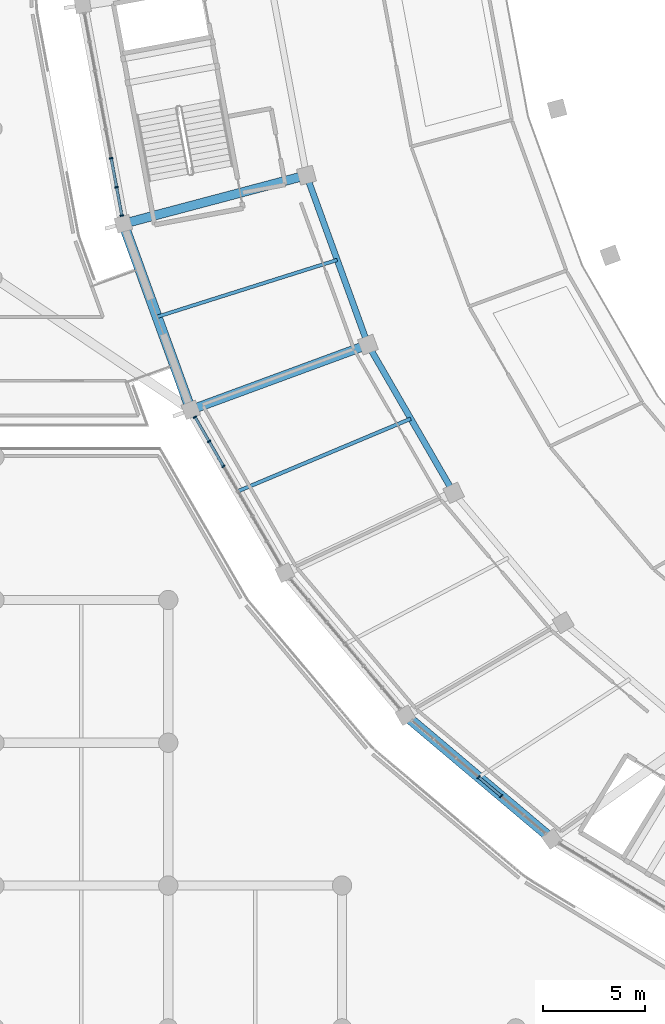
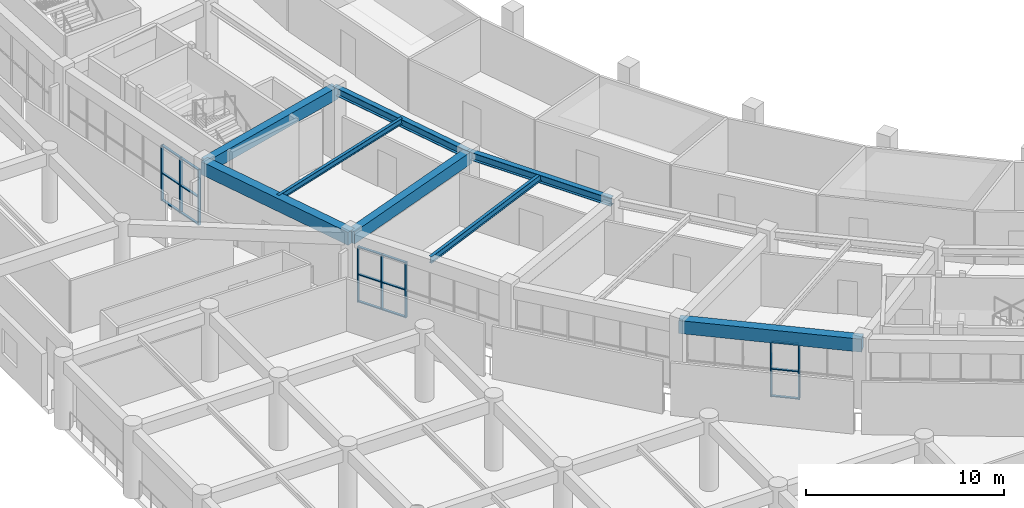
# One storey, part 19 of 141: 23 members, 8 beams, 3 elements without a shape of their own.
"""IFC4 building model written with IfcOpenShell, lengths in metres."""

from ifc_helpers import new_model, si_unit, direction, frame, origin, origin_2d, place, context, subcontext, project, spatial, rectangle, i_section, extrude, material, layer, layer_set, material_profile, profile_set, type_object, element, aggregate, save


model = new_model("IFC4")

# Units and contexts
model_context = context("Model", 3, precision=1e-05, world=origin(), true_north=direction((0.0, 1.0)))
body_context = subcontext(model_context, "Body", "Model", "MODEL_VIEW")
ifc_project = project(units=[si_unit("LENGTHUNIT", "METRE"), si_unit("AREAUNIT", "SQUARE_METRE"), si_unit("VOLUMEUNIT", "CUBIC_METRE"), si_unit("PLANEANGLEUNIT", "RADIAN"), si_unit("MASSUNIT", "GRAM", prefix="KILO")], contexts=[model_context])

# Site, building, storey
site_placement = place(None, origin())
site = spatial("IfcSite", under=ifc_project, at=site_placement, CompositionType="ELEMENT")
building_placement = place(site_placement, origin())
building = spatial("IfcBuilding", under=site, at=building_placement, Name="Mphavela Belvedere Stadium", CompositionType="ELEMENT")
storey_placement = place(building_placement, frame((0.0, 0.0, 14.699951171875)))
storey = spatial("IfcBuildingStorey", under=building, at=storey_placement, Name="L03", CompositionType="ELEMENT", Elevation=14.699951171875)

# Beams
ifc_material_1 = material(Name="Steel S355", Category="steel")
ifc_material_profile_1 = material_profile(ifc_material_1, i_section(OverallWidth=0.169921875, OverallDepth=0.360107421875, WebThickness=0.008056640625, FlangeThickness=0.0126953125, at=origin_2d()), Name="IPE 360")
ifc_profile_set_1 = profile_set([ifc_material_profile_1], Name="Steel S355")
beam_type_1 = type_object("IfcBeamType", Name="BM-JOIST-IPE360", PredefinedType="JOIST", material=ifc_profile_set_1)
beam_1_placement = place(storey_placement, frame((25.318359375, 58.6669921875, 4.070068359375), z_axis=(-0.953544002003, -0.301253773826, 0.0), x_axis=(0.301253773826, -0.953544002003, 0.0)))
element("IfcBeam", 1, at=beam_1_placement, inside=storey, type_object=beam_type_1, Name="Concourse floor joist L03-27", PredefinedType="JOIST", context=body_context, shape_type="SweptSolid", body=[
    extrude(i_section(OverallWidth=0.169921875, OverallDepth=0.360107421875, WebThickness=0.008056640625, FlangeThickness=0.0126953125, at=origin_2d()), origin(), (0.0, 0.0, 1.0), 9.259033203125),
])
ifc_material_2 = material(Name="Steel S355", Category="steel")
ifc_material_profile_2 = material_profile(ifc_material_2, i_section(OverallWidth=0.179931640625, OverallDepth=0.39990234375, WebThickness=0.008544921875, FlangeThickness=0.013427734375, at=origin_2d()), Name="IPE 400")
ifc_profile_set_2 = profile_set([ifc_material_profile_2], Name="Steel S355")
beam_type_2 = type_object("IfcBeamType", Name="BM-JOIST-IPE400", PredefinedType="JOIST", material=ifc_profile_set_2)
beam_2_placement = place(storey_placement, frame((28.924560546875, 50.8837890625, 4.050048828125), z_axis=(-0.922112756047, -0.386921264775, 0.0), x_axis=(0.386921264775, -0.922112756047, 0.0)))
element("IfcBeam", 2, at=beam_2_placement, inside=storey, type_object=beam_type_2, Name="Concourse floor joist L03-28", PredefinedType="JOIST", context=body_context, shape_type="SweptSolid", body=[
    extrude(i_section(OverallWidth=0.179931640625, OverallDepth=0.39990234375, WebThickness=0.008544921875, FlangeThickness=0.013427734375, at=origin_2d()), origin(), (0.0, 0.0, 1.0), 9.189697265625),
])
ifc_material_3 = material(Name="Concrete C40/50", Category="concrete")
ifc_material_profile_3 = material_profile(ifc_material_3, rectangle(XDim=0.449951171875, YDim=0.75, at=origin_2d()), Name="RC 450x750")
ifc_profile_set_3 = profile_set([ifc_material_profile_3], Name="Concrete C40/50")
beam_type_3 = type_object("IfcBeamType", Name="BM-RC450x750", PredefinedType="BEAM", material=ifc_profile_set_3)
beam_3_placement = place(storey_placement, frame((23.8125, 62.818115234375, 3.875), z_axis=(-0.966589609073, -0.256328944196, 0.0), x_axis=(0.256328944196, -0.966589609073, 0.0)))
element("IfcBeam", 3, at=beam_3_placement, inside=storey, type_object=beam_type_3, Name="Radial concourse girder L03 R3R4-27", PredefinedType="BEAM", context=body_context, shape_type="SweptSolid", body=[
    extrude(rectangle(XDim=0.449951171875, YDim=0.75, at=origin_2d()), origin(), (0.0, 0.0, 1.0), 9.287353515625),
])
beam_4_placement = place(storey_placement, frame((26.824462890625, 54.515625, 3.875), z_axis=(-0.938348073025, -0.345691905967, 0.0), x_axis=(0.345691905967, -0.938348073025, 0.0)))
element("IfcBeam", 4, at=beam_4_placement, inside=storey, type_object=beam_type_3, Name="Radial concourse girder L03 R3R4-28", PredefinedType="BEAM", context=body_context, shape_type="SweptSolid", body=[
    extrude(rectangle(XDim=0.449951171875, YDim=0.75, at=origin_2d()), origin(), (0.0, 0.0, 1.0), 9.2509765625),
])
ifc_material_4 = material(Name="Concrete C40/50", Category="concrete")
ifc_material_profile_4 = material_profile(ifc_material_4, rectangle(XDim=0.5, YDim=0.800048828125, at=origin_2d()), Name="RC 500x800")
ifc_profile_set_4 = profile_set([ifc_material_profile_4], Name="Concrete C40/50")
beam_type_4 = type_object("IfcBeamType", Name="BM-SPANDREL-800", PredefinedType="SPANDREL", material=ifc_profile_set_4)
beam_5_placement = place(storey_placement, frame((14.83544921875, 60.4375, 3.85009765625), z_axis=(0.341017570596, -0.94005692197, 0.0), x_axis=(0.94005692197, 0.341017570596, 0.0)))
element("IfcBeam", 5, at=beam_5_placement, inside=storey, type_object=beam_type_4, Name="Circumferential girder L03 R4-27", PredefinedType="SPANDREL", context=body_context, shape_type="SweptSolid", body=[
    extrude(rectangle(XDim=0.5, YDim=0.800048828125, at=origin_2d()), origin(), (0.0, 0.0, 1.0), 9.701416015625),
])
beam_6_placement = place(storey_placement, frame((28.66162109375, 36.346435546875, 3.85009765625), z_axis=(0.76426547638, -0.644901761212, 0.0), x_axis=(0.644901761212, 0.76426547638, 0.0)))
element("IfcBeam", 6, at=beam_6_placement, inside=storey, type_object=beam_type_4, Name="Circumferential girder L03 R4-30", PredefinedType="SPANDREL", context=body_context, shape_type="SweptSolid", body=[
    extrude(rectangle(XDim=0.5, YDim=0.800048828125, at=origin_2d()), origin(), (0.0, 0.0, 1.0), 9.3984375),
])
ifc_material_5 = material(Name="Steel S355", Category="steel")
ifc_material_profile_5 = material_profile(ifc_material_5, i_section(OverallWidth=0.300048828125, OverallDepth=0.489990234375, WebThickness=0.011962890625, FlangeThickness=0.02294921875, at=origin_2d()), Name="HEA 500")
ifc_profile_set_5 = profile_set([ifc_material_profile_5], Name="Steel S355")
beam_type_5 = type_object("IfcBeamType", Name="BM-STEEL-HEA500", PredefinedType="BEAM", material=ifc_profile_set_5)
beam_7_placement = place(storey_placement, frame((23.8125, 62.818115234375, 4.005126953125), z_axis=(0.341030504348, -0.940052229987, 0.0), x_axis=(0.940052229987, 0.341030504348, 0.0)))
element("IfcBeam", 7, at=beam_7_placement, inside=storey, type_object=beam_type_5, Name="Circumferential girder L03 R3-27", PredefinedType="BEAM", context=body_context, shape_type="SweptSolid", body=[
    extrude(i_section(OverallWidth=0.300048828125, OverallDepth=0.489990234375, WebThickness=0.011962890625, FlangeThickness=0.02294921875, at=origin_2d()), origin(), (0.0, 0.0, 1.0), 8.83203125),
])
beam_8_placement = place(storey_placement, frame((26.824462890625, 54.515625, 4.005126953125), z_axis=(0.500547586322, -0.865709023765, 0.0), x_axis=(0.865709023765, 0.500547586322, 0.0)))
element("IfcBeam", 8, at=beam_8_placement, inside=storey, type_object=beam_type_5, Name="Circumferential girder L03 R3-28", PredefinedType="BEAM", context=body_context, shape_type="SweptSolid", body=[
    extrude(i_section(OverallWidth=0.300048828125, OverallDepth=0.489990234375, WebThickness=0.011962890625, FlangeThickness=0.02294921875, at=origin_2d()), origin(), (0.0, 0.0, 1.0), 8.390625),
])

# Curtain wall, members
ifc_material_6 = material(Name="Anodised bronze unitised curtain wall framing")
ifc_layer_1 = layer(ifc_material_6, 0.195068359375)
ifc_layer_set_1 = layer_set([ifc_layer_1], Name="Anodised bronze unitised curtain wall framing")
curtain_wall_type_1 = type_object("IfcCurtainWallType", Name="CW-UNIT-04", PredefinedType="USERDEFINED", material=ifc_layer_set_1)
curtain_wall_1_placement = place(storey_placement, origin())
curtain_wall_1 = element("IfcCurtainWall", 9, at=curtain_wall_1_placement, inside=storey, type_object=curtain_wall_type_1, Name="Belvedere colonnade curtain wall L03-26", ObjectType="UNITISED CURTAIN WALL", PredefinedType="USERDEFINED")
ifc_material_7 = material(Name="Anodised bronze extruded aluminium", Category="aluminium")
ifc_material_profile_6 = material_profile(ifc_material_7, rectangle(XDim=0.179931640625, YDim=0.06494140625, at=origin_2d()), Name="CW-MUL 180x65")
ifc_profile_set_6 = profile_set([ifc_material_profile_6], Name="Anodised bronze extruded aluminium")
member_type_1 = type_object("IfcMemberType", Name="CWM-180x65", PredefinedType="MULLION", material=ifc_profile_set_6)
member_1_placement = place(storey_placement, frame((14.2373046875, 63.65673828125, 0.0), z_axis=(0.0, 0.0, 1.0), x_axis=(0.983181487142, 0.182631222254, 0.0)))
member_1 = element("IfcMember", 10, at=member_1_placement, type_object=member_type_1, Name="CW-04 mullion 6", PredefinedType="MULLION", context=body_context, shape_type="SweptSolid", body=[
    extrude(rectangle(XDim=0.179931640625, YDim=0.06494140625, at=origin_2d()), origin(), (0.0, 0.0, 1.0), 3.420166015625),
])
member_2_placement = place(storey_placement, frame((14.50244140625, 62.23046875, 0.0), z_axis=(0.0, 0.0, 1.0), x_axis=(0.983181487142, 0.182631222254, 0.0)))
member_2 = element("IfcMember", 11, at=member_2_placement, type_object=member_type_1, Name="CW-04 mullion 7", PredefinedType="MULLION", context=body_context, shape_type="SweptSolid", body=[
    extrude(rectangle(XDim=0.179931640625, YDim=0.06494140625, at=origin_2d()), origin(), (0.0, 0.0, 1.0), 3.420166015625),
])
member_3_placement = place(storey_placement, frame((14.761474609375, 60.836181640625, 0.0), z_axis=(0.0, 0.0, 1.0), x_axis=(0.983181487142, 0.182631222254, 0.0)))
member_3 = element("IfcMember", 12, at=member_3_placement, type_object=member_type_1, Name="CW-04 mullion 8", PredefinedType="MULLION", context=body_context, shape_type="SweptSolid", body=[
    extrude(rectangle(XDim=0.179931640625, YDim=0.06494140625, at=origin_2d()), origin(), (0.0, 0.0, 1.0), 3.420166015625),
])

ifc_material_8 = material(Name="Anodised bronze unitised curtain wall framing")
ifc_layer_2 = layer(ifc_material_8, 0.199951171875)
ifc_layer_set_2 = layer_set([ifc_layer_2], Name="Anodised bronze unitised curtain wall framing")
curtain_wall_type_2 = type_object("IfcCurtainWallType", Name="CW-UNIT-05", PredefinedType="USERDEFINED", material=ifc_layer_set_2)
curtain_wall_2_placement = place(storey_placement, origin())
curtain_wall_2 = element("IfcCurtainWall", 13, at=curtain_wall_2_placement, inside=storey, type_object=curtain_wall_type_2, Name="Belvedere colonnade curtain wall L03-28", ObjectType="UNITISED CURTAIN WALL", PredefinedType="USERDEFINED")
member_4_placement = place(storey_placement, frame((18.346923828125, 50.966552734375, 0.0), z_axis=(0.0, 0.0, 1.0), x_axis=(0.865705257789, 0.50055409961, 0.0)))
member_4 = element("IfcMember", 14, at=member_4_placement, type_object=member_type_1, Name="CW-05 mullion 1", PredefinedType="MULLION", context=body_context, shape_type="SweptSolid", body=[
    extrude(rectangle(XDim=0.179931640625, YDim=0.06494140625, at=origin_2d()), origin(), (0.0, 0.0, 1.0), 3.420166015625),
])
member_5_placement = place(storey_placement, frame((19.037353515625, 49.7724609375, 0.0), z_axis=(0.0, 0.0, 1.0), x_axis=(0.865705257789, 0.50055409961, 0.0)))
member_5 = element("IfcMember", 15, at=member_5_placement, type_object=member_type_1, Name="CW-05 mullion 2", PredefinedType="MULLION", context=body_context, shape_type="SweptSolid", body=[
    extrude(rectangle(XDim=0.179931640625, YDim=0.06494140625, at=origin_2d()), origin(), (0.0, 0.0, 1.0), 3.420166015625),
])
member_6_placement = place(storey_placement, frame((19.743896484375, 48.55029296875, 0.0), z_axis=(0.0, 0.0, 1.0), x_axis=(0.865705257789, 0.50055409961, 0.0)))
member_6 = element("IfcMember", 16, at=member_6_placement, type_object=member_type_1, Name="CW-05 mullion 3", PredefinedType="MULLION", context=body_context, shape_type="SweptSolid", body=[
    extrude(rectangle(XDim=0.179931640625, YDim=0.06494140625, at=origin_2d()), origin(), (0.0, 0.0, 1.0), 3.420166015625),
])

ifc_material_9 = material(Name="Anodised bronze unitised curtain wall framing")
ifc_layer_3 = layer(ifc_material_9, 0.179931640625)
ifc_layer_set_3 = layer_set([ifc_layer_3], Name="Anodised bronze unitised curtain wall framing")
curtain_wall_type_3 = type_object("IfcCurtainWallType", Name="CW-UNIT-01", PredefinedType="USERDEFINED", material=ifc_layer_set_3)
curtain_wall_3_placement = place(storey_placement, origin())
curtain_wall_3 = element("IfcCurtainWall", 17, at=curtain_wall_3_placement, inside=storey, type_object=curtain_wall_type_3, Name="Belvedere colonnade curtain wall L03-30", ObjectType="UNITISED CURTAIN WALL", PredefinedType="USERDEFINED")
member_7_placement = place(storey_placement, frame((32.2529296875, 33.31591796875, 0.0), z_axis=(0.0, 0.0, 1.0), x_axis=(0.644904906656, 0.764262822183, 0.0)))
member_7 = element("IfcMember", 18, at=member_7_placement, type_object=member_type_1, Name="CW-01 mullion 4", PredefinedType="MULLION", context=body_context, shape_type="SweptSolid", body=[
    extrude(rectangle(XDim=0.179931640625, YDim=0.06494140625, at=origin_2d()), origin(), (0.0, 0.0, 1.0), 3.420166015625),
])
member_8_placement = place(storey_placement, frame((33.355224609375, 32.385986328125, 0.0), z_axis=(0.0, 0.0, 1.0), x_axis=(0.644904906656, 0.764262822183, 0.0)))
member_8 = element("IfcMember", 19, at=member_8_placement, type_object=member_type_1, Name="CW-01 mullion 5", PredefinedType="MULLION", context=body_context, shape_type="SweptSolid", body=[
    extrude(rectangle(XDim=0.179931640625, YDim=0.06494140625, at=origin_2d()), origin(), (0.0, 0.0, 1.0), 3.420166015625),
])

# Member
ifc_material_10 = material(Name="Anodised bronze extruded aluminium", Category="aluminium")
ifc_material_profile_7 = material_profile(ifc_material_10, rectangle(XDim=0.139892578125, YDim=0.06005859375, at=origin_2d()), Name="CW-TRN 140x60")
ifc_profile_set_7 = profile_set([ifc_material_profile_7], Name="Anodised bronze extruded aluminium")
member_type_2 = type_object("IfcMemberType", Name="CWT-140x60", PredefinedType="USERDEFINED", material=ifc_profile_set_7)
member_9_placement = place(storey_placement, frame((14.243408203125, 63.624755859375, 0.030029296875), z_axis=(0.182543529101, -0.983197772568, 0.0), x_axis=(0.983197772568, 0.182543529101, 0.0)))
member_9 = element("IfcMember", 20, at=member_9_placement, type_object=member_type_2, Name="CW-04 transom 6.1", ObjectType="TRANSOM", PredefinedType="USERDEFINED", context=body_context, shape_type="SweptSolid", body=[
    extrude(rectangle(XDim=0.139892578125, YDim=0.06005859375, at=origin_2d()), origin(), (0.0, 0.0, 1.0), 1.385498046875),
])

member_10_placement = place(storey_placement, frame((14.243408203125, 63.624755859375, 1.7099609375), z_axis=(0.182543529101, -0.983197772568, 0.0), x_axis=(0.983197772568, 0.182543529101, 0.0)))
member_10 = element("IfcMember", 21, at=member_10_placement, type_object=member_type_2, Name="CW-04 transom 6.2", ObjectType="TRANSOM", PredefinedType="USERDEFINED", context=body_context, shape_type="SweptSolid", body=[
    extrude(rectangle(XDim=0.139892578125, YDim=0.06005859375, at=origin_2d()), origin(), (0.0, 0.0, 1.0), 1.385498046875),
])

member_11_placement = place(storey_placement, frame((14.243408203125, 63.624755859375, 3.39013671875), z_axis=(0.182543529101, -0.983197772568, 0.0), x_axis=(0.983197772568, 0.182543529101, 0.0)))
member_11 = element("IfcMember", 22, at=member_11_placement, type_object=member_type_2, Name="CW-04 transom 6.3", ObjectType="TRANSOM", PredefinedType="USERDEFINED", context=body_context, shape_type="SweptSolid", body=[
    extrude(rectangle(XDim=0.139892578125, YDim=0.06005859375, at=origin_2d()), origin(), (0.0, 0.0, 1.0), 1.385498046875),
])

member_12_placement = place(storey_placement, frame((14.50830078125, 62.198486328125, 0.030029296875), z_axis=(0.182599668928, -0.983187347817, 0.0), x_axis=(0.983187347817, 0.182599668928, 0.0)))
member_12 = element("IfcMember", 23, at=member_12_placement, type_object=member_type_2, Name="CW-04 transom 7.1", ObjectType="TRANSOM", PredefinedType="USERDEFINED", context=body_context, shape_type="SweptSolid", body=[
    extrude(rectangle(XDim=0.139892578125, YDim=0.06005859375, at=origin_2d()), origin(), (0.0, 0.0, 1.0), 1.35302734375),
])

member_13_placement = place(storey_placement, frame((14.50830078125, 62.198486328125, 1.7099609375), z_axis=(0.182599668928, -0.983187347817, 0.0), x_axis=(0.983187347817, 0.182599668928, 0.0)))
member_13 = element("IfcMember", 24, at=member_13_placement, type_object=member_type_2, Name="CW-04 transom 7.2", ObjectType="TRANSOM", PredefinedType="USERDEFINED", context=body_context, shape_type="SweptSolid", body=[
    extrude(rectangle(XDim=0.139892578125, YDim=0.06005859375, at=origin_2d()), origin(), (0.0, 0.0, 1.0), 1.35302734375),
])

member_14_placement = place(storey_placement, frame((14.50830078125, 62.198486328125, 3.39013671875), z_axis=(0.182599668928, -0.983187347817, 0.0), x_axis=(0.983187347817, 0.182599668928, 0.0)))
member_14 = element("IfcMember", 25, at=member_14_placement, type_object=member_type_2, Name="CW-04 transom 7.3", ObjectType="TRANSOM", PredefinedType="USERDEFINED", context=body_context, shape_type="SweptSolid", body=[
    extrude(rectangle(XDim=0.139892578125, YDim=0.06005859375, at=origin_2d()), origin(), (0.0, 0.0, 1.0), 1.35302734375),
])

aggregate(curtain_wall_1, [member_1, member_2, member_3, member_9, member_10, member_11, member_12, member_13, member_14])

member_15_placement = place(storey_placement, frame((18.363037109375, 50.9384765625, 0.030029296875), z_axis=(0.500633471094, -0.865659360037, 0.0), x_axis=(0.865659360037, 0.500633471094, 0.0)))
member_15 = element("IfcMember", 26, at=member_15_placement, type_object=member_type_2, Name="CW-05 transom 1.1", ObjectType="TRANSOM", PredefinedType="USERDEFINED", context=body_context, shape_type="SweptSolid", body=[
    extrude(rectangle(XDim=0.139892578125, YDim=0.06005859375, at=origin_2d()), origin(), (0.0, 0.0, 1.0), 1.314208984375),
])

member_16_placement = place(storey_placement, frame((18.363037109375, 50.9384765625, 1.7099609375), z_axis=(0.500633471094, -0.865659360037, 0.0), x_axis=(0.865659360037, 0.500633471094, 0.0)))
member_16 = element("IfcMember", 27, at=member_16_placement, type_object=member_type_2, Name="CW-05 transom 1.2", ObjectType="TRANSOM", PredefinedType="USERDEFINED", context=body_context, shape_type="SweptSolid", body=[
    extrude(rectangle(XDim=0.139892578125, YDim=0.06005859375, at=origin_2d()), origin(), (0.0, 0.0, 1.0), 1.314208984375),
])

member_17_placement = place(storey_placement, frame((18.363037109375, 50.9384765625, 3.39013671875), z_axis=(0.500633471094, -0.865659360037, 0.0), x_axis=(0.865659360037, 0.500633471094, 0.0)))
member_17 = element("IfcMember", 28, at=member_17_placement, type_object=member_type_2, Name="CW-05 transom 1.3", ObjectType="TRANSOM", PredefinedType="USERDEFINED", context=body_context, shape_type="SweptSolid", body=[
    extrude(rectangle(XDim=0.139892578125, YDim=0.06005859375, at=origin_2d()), origin(), (0.0, 0.0, 1.0), 1.314208984375),
])

member_18_placement = place(storey_placement, frame((19.053466796875, 49.744384765625, 0.030029296875), z_axis=(0.500621812239, -0.865666102554, 0.0), x_axis=(0.865666102554, 0.500621812239, 0.0)))
member_18 = element("IfcMember", 29, at=member_18_placement, type_object=member_type_2, Name="CW-05 transom 2.1", ObjectType="TRANSOM", PredefinedType="USERDEFINED", context=body_context, shape_type="SweptSolid", body=[
    extrude(rectangle(XDim=0.139892578125, YDim=0.06005859375, at=origin_2d()), origin(), (0.0, 0.0, 1.0), 1.346923828125),
])

member_19_placement = place(storey_placement, frame((19.053466796875, 49.744384765625, 1.7099609375), z_axis=(0.500621812239, -0.865666102554, 0.0), x_axis=(0.865666102554, 0.500621812239, 0.0)))
member_19 = element("IfcMember", 30, at=member_19_placement, type_object=member_type_2, Name="CW-05 transom 2.2", ObjectType="TRANSOM", PredefinedType="USERDEFINED", context=body_context, shape_type="SweptSolid", body=[
    extrude(rectangle(XDim=0.139892578125, YDim=0.06005859375, at=origin_2d()), origin(), (0.0, 0.0, 1.0), 1.346923828125),
])

member_20_placement = place(storey_placement, frame((19.053466796875, 49.744384765625, 3.39013671875), z_axis=(0.500621812239, -0.865666102554, 0.0), x_axis=(0.865666102554, 0.500621812239, 0.0)))
member_20 = element("IfcMember", 31, at=member_20_placement, type_object=member_type_2, Name="CW-05 transom 2.3", ObjectType="TRANSOM", PredefinedType="USERDEFINED", context=body_context, shape_type="SweptSolid", body=[
    extrude(rectangle(XDim=0.139892578125, YDim=0.06005859375, at=origin_2d()), origin(), (0.0, 0.0, 1.0), 1.346923828125),
])

aggregate(curtain_wall_2, [member_4, member_5, member_6, member_15, member_16, member_17, member_18, member_19, member_20])

member_21_placement = place(storey_placement, frame((32.27783203125, 33.294921875, 0.030029296875), z_axis=(0.764326982188, -0.644828864351, 0.0), x_axis=(0.644828864351, 0.764326982188, 0.0)))
member_21 = element("IfcMember", 32, at=member_21_placement, type_object=member_type_2, Name="CW-01 transom 4.1", ObjectType="TRANSOM", PredefinedType="USERDEFINED", context=body_context, shape_type="SweptSolid", body=[
    extrude(rectangle(XDim=0.139892578125, YDim=0.06005859375, at=origin_2d()), origin(), (0.0, 0.0, 1.0), 1.376953125),
])

member_22_placement = place(storey_placement, frame((32.27783203125, 33.294921875, 1.7099609375), z_axis=(0.764326982188, -0.644828864351, 0.0), x_axis=(0.644828864351, 0.764326982188, 0.0)))
member_22 = element("IfcMember", 33, at=member_22_placement, type_object=member_type_2, Name="CW-01 transom 4.2", ObjectType="TRANSOM", PredefinedType="USERDEFINED", context=body_context, shape_type="SweptSolid", body=[
    extrude(rectangle(XDim=0.139892578125, YDim=0.06005859375, at=origin_2d()), origin(), (0.0, 0.0, 1.0), 1.376953125),
])

member_23_placement = place(storey_placement, frame((32.27783203125, 33.294921875, 3.39013671875), z_axis=(0.764326982188, -0.644828864351, 0.0), x_axis=(0.644828864351, 0.764326982188, 0.0)))
member_23 = element("IfcMember", 34, at=member_23_placement, type_object=member_type_2, Name="CW-01 transom 4.3", ObjectType="TRANSOM", PredefinedType="USERDEFINED", context=body_context, shape_type="SweptSolid", body=[
    extrude(rectangle(XDim=0.139892578125, YDim=0.06005859375, at=origin_2d()), origin(), (0.0, 0.0, 1.0), 1.376953125),
])

aggregate(curtain_wall_3, [member_7, member_8, member_21, member_22, member_23])

save(model, "model.ifc")
